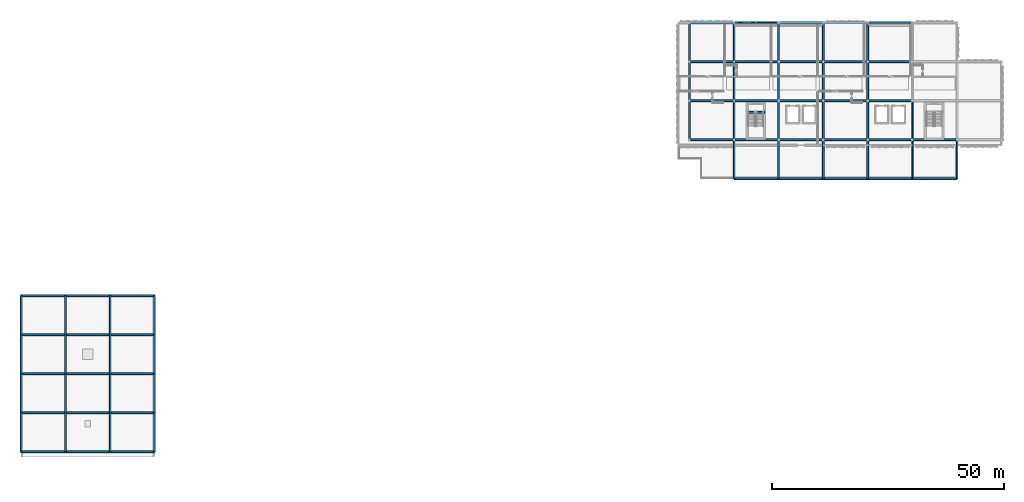
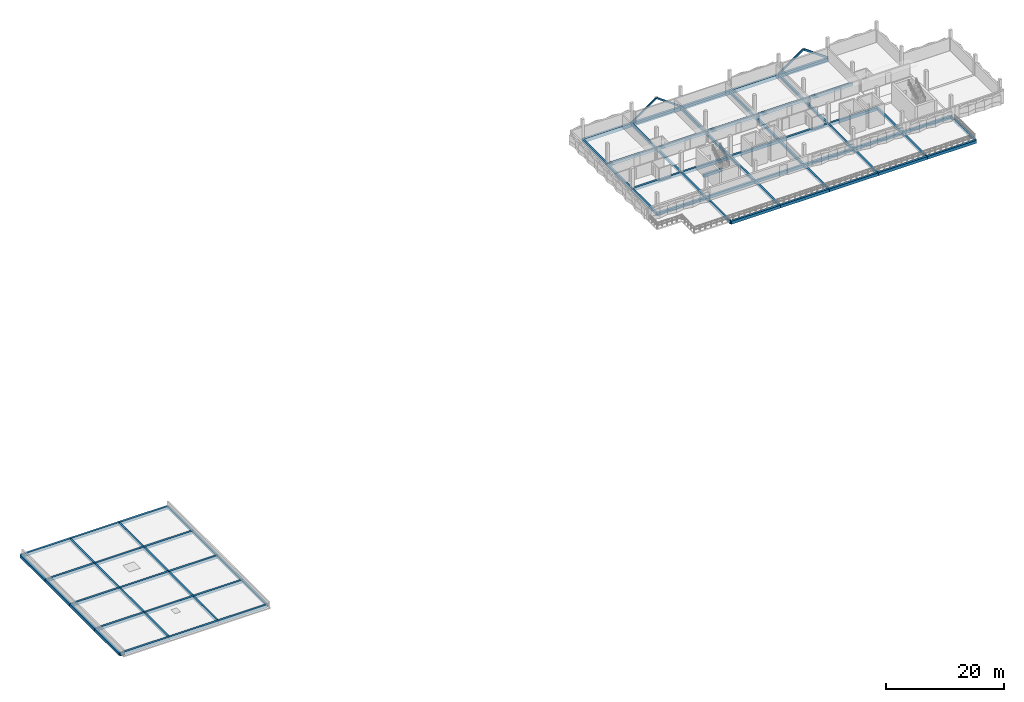
# One storey, part 2 of 13: 80 beams, 4 members.
"""IFC4 building model written with IfcOpenShell, lengths in metres."""

from ifc_helpers import new_model, si_unit, direction, frame, origin, origin_2d, place, context, subcontext, project, spatial, rectangle, hollow_rectangle, extrude, material, material_profile, profile_set, type_object, element, save


model = new_model("IFC4")

# Units and contexts
model_context = context("Model", 3, precision=1e-05, world=origin(), true_north=direction((0.0, 1.0)))
body_context = subcontext(model_context, "Body", "Model", "MODEL_VIEW")
ifc_project = project(units=[si_unit("LENGTHUNIT", "METRE"), si_unit("AREAUNIT", "SQUARE_METRE"), si_unit("VOLUMEUNIT", "CUBIC_METRE"), si_unit("PLANEANGLEUNIT", "RADIAN"), si_unit("MASSUNIT", "GRAM", prefix="KILO")], contexts=[model_context])

# Site, building, storey
site_placement = place(None, origin())
site = spatial("IfcSite", under=ifc_project, at=site_placement, CompositionType="ELEMENT")
building_placement = place(site_placement, origin())
building = spatial("IfcBuilding", under=site, at=building_placement, Name="Oolite Switchyard Hospital", CompositionType="ELEMENT")
storey_placement = place(building_placement, frame((0.0, 0.0, 30.39990234375)))
storey = spatial("IfcBuildingStorey", under=building, at=storey_placement, Name="L07", CompositionType="ELEMENT", Elevation=30.39990234375)

# Beams
ifc_material_1 = material(Name="Concrete C40/50", Category="concrete")
ifc_material_profile_1 = material_profile(ifc_material_1, rectangle(XDim=0.35009765625, YDim=0.550048828125, at=origin_2d()), Name="RCB350X550")
ifc_profile_set_1 = profile_set([ifc_material_profile_1], Name="Concrete C40/50")
beam_type_1 = type_object("IfcBeamType", Name="BM-RC350X550", PredefinedType="BEAM", material=ifc_profile_set_1)
beam_1_placement = place(storey_placement, frame((9.60009765625, 42.0, -0.27490234375), z_axis=(0.0, 1.0, 0.0), x_axis=(-1.0, 0.0, 0.0)))
element("IfcBeam", 1, at=beam_1_placement, inside=storey, type_object=beam_type_1, Name="L07 Y-Girder 3899", PredefinedType="BEAM", context=body_context, shape_type="SweptSolid", body=[
    extrude(rectangle(XDim=0.35009765625, YDim=0.550048828125, at=origin_2d()), origin(), (0.0, 0.0, 1.0), 8.39990234375),
])
beam_2_placement = place(storey_placement, frame((9.60009765625, 50.39990234375, -0.27490234375), z_axis=(0.0, 1.0, 0.0), x_axis=(-1.0, 0.0, 0.0)))
element("IfcBeam", 2, at=beam_2_placement, inside=storey, type_object=beam_type_1, Name="L07 Y-Girder 3900", PredefinedType="BEAM", context=body_context, shape_type="SweptSolid", body=[
    extrude(rectangle(XDim=0.35009765625, YDim=0.550048828125, at=origin_2d()), origin(), (0.0, 0.0, 1.0), 8.400146484375),
])
beam_3_placement = place(storey_placement, frame((9.60009765625, 58.800048828125, -0.27490234375), z_axis=(0.0, 1.0, 0.0), x_axis=(-1.0, 0.0, 0.0)))
element("IfcBeam", 3, at=beam_3_placement, inside=storey, type_object=beam_type_1, Name="L07 Y-Girder 3901", PredefinedType="BEAM", context=body_context, shape_type="SweptSolid", body=[
    extrude(rectangle(XDim=0.35009765625, YDim=0.550048828125, at=origin_2d()), origin(), (0.0, 0.0, 1.0), 8.39990234375),
])
beam_4_placement = place(storey_placement, frame((9.60009765625, 67.199951171875, -0.27490234375), z_axis=(0.0, 1.0, 0.0), x_axis=(-1.0, 0.0, 0.0)))
element("IfcBeam", 4, at=beam_4_placement, inside=storey, type_object=beam_type_1, Name="L07 Y-Girder 3902", PredefinedType="BEAM", context=body_context, shape_type="SweptSolid", body=[
    extrude(rectangle(XDim=0.35009765625, YDim=0.550048828125, at=origin_2d()), origin(), (0.0, 0.0, 1.0), 8.400146484375),
])
beam_5_placement = place(storey_placement, frame((19.199951171875, 42.0, -0.27490234375), z_axis=(0.0, 1.0, 0.0), x_axis=(-1.0, 0.0, 0.0)))
element("IfcBeam", 5, at=beam_5_placement, inside=storey, type_object=beam_type_1, Name="L07 Y-Girder 3903", PredefinedType="BEAM", context=body_context, shape_type="SweptSolid", body=[
    extrude(rectangle(XDim=0.35009765625, YDim=0.550048828125, at=origin_2d()), origin(), (0.0, 0.0, 1.0), 8.39990234375),
])
beam_6_placement = place(storey_placement, frame((19.199951171875, 50.39990234375, -0.27490234375), z_axis=(0.0, 1.0, 0.0), x_axis=(-1.0, 0.0, 0.0)))
element("IfcBeam", 6, at=beam_6_placement, inside=storey, type_object=beam_type_1, Name="L07 Y-Girder 3904", PredefinedType="BEAM", context=body_context, shape_type="SweptSolid", body=[
    extrude(rectangle(XDim=0.35009765625, YDim=0.550048828125, at=origin_2d()), origin(), (0.0, 0.0, 1.0), 8.400146484375),
])
beam_7_placement = place(storey_placement, frame((19.199951171875, 58.800048828125, -0.27490234375), z_axis=(0.0, 1.0, 0.0), x_axis=(-1.0, 0.0, 0.0)))
element("IfcBeam", 7, at=beam_7_placement, inside=storey, type_object=beam_type_1, Name="L07 Y-Girder 3905", PredefinedType="BEAM", context=body_context, shape_type="SweptSolid", body=[
    extrude(rectangle(XDim=0.35009765625, YDim=0.550048828125, at=origin_2d()), origin(), (0.0, 0.0, 1.0), 8.39990234375),
])
beam_8_placement = place(storey_placement, frame((19.199951171875, 67.199951171875, -0.27490234375), z_axis=(0.0, 1.0, 0.0), x_axis=(-1.0, 0.0, 0.0)))
element("IfcBeam", 8, at=beam_8_placement, inside=storey, type_object=beam_type_1, Name="L07 Y-Girder 3906", PredefinedType="BEAM", context=body_context, shape_type="SweptSolid", body=[
    extrude(rectangle(XDim=0.35009765625, YDim=0.550048828125, at=origin_2d()), origin(), (0.0, 0.0, 1.0), 8.400146484375),
])
beam_9_placement = place(storey_placement, frame((28.800048828125, 42.0, -0.27490234375), z_axis=(0.0, 1.0, 0.0), x_axis=(-1.0, 0.0, 0.0)))
element("IfcBeam", 9, at=beam_9_placement, inside=storey, type_object=beam_type_1, Name="L07 Y-Girder 3907", PredefinedType="BEAM", context=body_context, shape_type="SweptSolid", body=[
    extrude(rectangle(XDim=0.35009765625, YDim=0.550048828125, at=origin_2d()), origin(), (0.0, 0.0, 1.0), 8.39990234375),
])
beam_10_placement = place(storey_placement, frame((28.800048828125, 50.39990234375, -0.27490234375), z_axis=(0.0, 1.0, 0.0), x_axis=(-1.0, 0.0, 0.0)))
element("IfcBeam", 10, at=beam_10_placement, inside=storey, type_object=beam_type_1, Name="L07 Y-Girder 3908", PredefinedType="BEAM", context=body_context, shape_type="SweptSolid", body=[
    extrude(rectangle(XDim=0.35009765625, YDim=0.550048828125, at=origin_2d()), origin(), (0.0, 0.0, 1.0), 8.400146484375),
])
beam_11_placement = place(storey_placement, frame((28.800048828125, 58.800048828125, -0.27490234375), z_axis=(0.0, 1.0, 0.0), x_axis=(-1.0, 0.0, 0.0)))
element("IfcBeam", 11, at=beam_11_placement, inside=storey, type_object=beam_type_1, Name="L07 Y-Girder 3909", PredefinedType="BEAM", context=body_context, shape_type="SweptSolid", body=[
    extrude(rectangle(XDim=0.35009765625, YDim=0.550048828125, at=origin_2d()), origin(), (0.0, 0.0, 1.0), 8.39990234375),
])
for number, where, z_axis, x_axis, name in (
    (12, (28.800048828125, 67.199951171875, -0.27490234375), (0.0, 1.0, 0.0), (-1.0, 0.0, 0.0), "L07 Y-Girder 3910"),
    (13, (144.0, 109.199951171875, -0.27490234375), (0.0, 1.0, 0.0), (-1.0, 0.0, 0.0), "L07 Y-Girder 3911"),
):
    element("IfcBeam", number, at=place(storey_placement, frame(where, z_axis=z_axis, x_axis=x_axis)), inside=storey, type_object=beam_type_1, Name=name, PredefinedType="BEAM", context=body_context, shape_type="SweptSolid", body=[
        extrude(rectangle(XDim=0.35009765625, YDim=0.550048828125, at=origin_2d()), origin(), (0.0, 0.0, 1.0), 8.400146484375),
    ])
for number, where, z_axis, x_axis, name in (
    (14, (144.0, 117.60009765625, -0.27490234375), (0.0, 1.0, 0.0), (-1.0, 0.0, 0.0), "L07 Y-Girder 3912"),
    (15, (144.0, 126.0, -0.27490234375), (0.0, 1.0, 0.0), (-1.0, 0.0, 0.0), "L07 Y-Girder 3913"),
    (16, (153.60009765625, 100.800048828125, -0.27490234375), (0.0, 1.0, 0.0), (-1.0, 0.0, 0.0), "L07 Y-Girder 3914"),
):
    element("IfcBeam", number, at=place(storey_placement, frame(where, z_axis=z_axis, x_axis=x_axis)), inside=storey, type_object=beam_type_1, Name=name, PredefinedType="BEAM", context=body_context, shape_type="SweptSolid", body=[
        extrude(rectangle(XDim=0.35009765625, YDim=0.550048828125, at=origin_2d()), origin(), (0.0, 0.0, 1.0), 8.39990234375),
    ])
beam_12_placement = place(storey_placement, frame((153.60009765625, 109.199951171875, -0.27490234375), z_axis=(0.0, 1.0, 0.0), x_axis=(-1.0, 0.0, 0.0)))
element("IfcBeam", 17, at=beam_12_placement, inside=storey, type_object=beam_type_1, Name="L07 Y-Girder 3915", PredefinedType="BEAM", context=body_context, shape_type="SweptSolid", body=[
    extrude(rectangle(XDim=0.35009765625, YDim=0.550048828125, at=origin_2d()), origin(), (0.0, 0.0, 1.0), 8.400146484375),
])
for number, where, z_axis, x_axis, name in (
    (18, (153.60009765625, 117.60009765625, -0.27490234375), (0.0, 1.0, 0.0), (-1.0, 0.0, 0.0), "L07 Y-Girder 3916"),
    (19, (153.60009765625, 126.0, -0.27490234375), (0.0, 1.0, 0.0), (-1.0, 0.0, 0.0), "L07 Y-Girder 3917"),
    (20, (163.199951171875, 100.800048828125, -0.27490234375), (0.0, 1.0, 0.0), (-1.0, 0.0, 0.0), "L07 Y-Girder 3918"),
):
    element("IfcBeam", number, at=place(storey_placement, frame(where, z_axis=z_axis, x_axis=x_axis)), inside=storey, type_object=beam_type_1, Name=name, PredefinedType="BEAM", context=body_context, shape_type="SweptSolid", body=[
        extrude(rectangle(XDim=0.35009765625, YDim=0.550048828125, at=origin_2d()), origin(), (0.0, 0.0, 1.0), 8.39990234375),
    ])
beam_13_placement = place(storey_placement, frame((163.199951171875, 109.199951171875, -0.27490234375), z_axis=(0.0, 1.0, 0.0), x_axis=(-1.0, 0.0, 0.0)))
element("IfcBeam", 21, at=beam_13_placement, inside=storey, type_object=beam_type_1, Name="L07 Y-Girder 3919", PredefinedType="BEAM", context=body_context, shape_type="SweptSolid", body=[
    extrude(rectangle(XDim=0.35009765625, YDim=0.550048828125, at=origin_2d()), origin(), (0.0, 0.0, 1.0), 8.400146484375),
])
for number, where, z_axis, x_axis, name in (
    (22, (163.199951171875, 117.60009765625, -0.27490234375), (0.0, 1.0, 0.0), (-1.0, 0.0, 0.0), "L07 Y-Girder 3920"),
    (23, (163.199951171875, 126.0, -0.27490234375), (0.0, 1.0, 0.0), (-1.0, 0.0, 0.0), "L07 Y-Girder 3921"),
    (24, (172.800048828125, 100.800048828125, -0.27490234375), (0.0, 1.0, 0.0), (-1.0, 0.0, 0.0), "L07 Y-Girder 3922"),
):
    element("IfcBeam", number, at=place(storey_placement, frame(where, z_axis=z_axis, x_axis=x_axis)), inside=storey, type_object=beam_type_1, Name=name, PredefinedType="BEAM", context=body_context, shape_type="SweptSolid", body=[
        extrude(rectangle(XDim=0.35009765625, YDim=0.550048828125, at=origin_2d()), origin(), (0.0, 0.0, 1.0), 8.39990234375),
    ])
beam_14_placement = place(storey_placement, frame((172.800048828125, 109.199951171875, -0.27490234375), z_axis=(0.0, 1.0, 0.0), x_axis=(-1.0, 0.0, 0.0)))
element("IfcBeam", 25, at=beam_14_placement, inside=storey, type_object=beam_type_1, Name="L07 Y-Girder 3923", PredefinedType="BEAM", context=body_context, shape_type="SweptSolid", body=[
    extrude(rectangle(XDim=0.35009765625, YDim=0.550048828125, at=origin_2d()), origin(), (0.0, 0.0, 1.0), 8.400146484375),
])
for number, where, z_axis, x_axis, name in (
    (26, (172.800048828125, 117.60009765625, -0.27490234375), (0.0, 1.0, 0.0), (-1.0, 0.0, 0.0), "L07 Y-Girder 3924"),
    (27, (172.800048828125, 126.0, -0.27490234375), (0.0, 1.0, 0.0), (-1.0, 0.0, 0.0), "L07 Y-Girder 3925"),
    (28, (182.39990234375, 100.800048828125, -0.27490234375), (0.0, 1.0, 0.0), (-1.0, 0.0, 0.0), "L07 Y-Girder 3926"),
):
    element("IfcBeam", number, at=place(storey_placement, frame(where, z_axis=z_axis, x_axis=x_axis)), inside=storey, type_object=beam_type_1, Name=name, PredefinedType="BEAM", context=body_context, shape_type="SweptSolid", body=[
        extrude(rectangle(XDim=0.35009765625, YDim=0.550048828125, at=origin_2d()), origin(), (0.0, 0.0, 1.0), 8.39990234375),
    ])
beam_15_placement = place(storey_placement, frame((182.39990234375, 109.199951171875, -0.27490234375), z_axis=(0.0, 1.0, 0.0), x_axis=(-1.0, 0.0, 0.0)))
element("IfcBeam", 29, at=beam_15_placement, inside=storey, type_object=beam_type_1, Name="L07 Y-Girder 3927", PredefinedType="BEAM", context=body_context, shape_type="SweptSolid", body=[
    extrude(rectangle(XDim=0.35009765625, YDim=0.550048828125, at=origin_2d()), origin(), (0.0, 0.0, 1.0), 8.400146484375),
])
for number, where, z_axis, x_axis, name in (
    (30, (182.39990234375, 117.60009765625, -0.27490234375), (0.0, 1.0, 0.0), (-1.0, 0.0, 0.0), "L07 Y-Girder 3928"),
    (31, (182.39990234375, 126.0, -0.27490234375), (0.0, 1.0, 0.0), (-1.0, 0.0, 0.0), "L07 Y-Girder 3929"),
    (32, (192.0, 100.800048828125, -0.27490234375), (0.0, 1.0, 0.0), (-1.0, 0.0, 0.0), "L07 Y-Girder 3930"),
):
    element("IfcBeam", number, at=place(storey_placement, frame(where, z_axis=z_axis, x_axis=x_axis)), inside=storey, type_object=beam_type_1, Name=name, PredefinedType="BEAM", context=body_context, shape_type="SweptSolid", body=[
        extrude(rectangle(XDim=0.35009765625, YDim=0.550048828125, at=origin_2d()), origin(), (0.0, 0.0, 1.0), 8.39990234375),
    ])
beam_16_placement = place(storey_placement, frame((192.0, 109.199951171875, -0.27490234375), z_axis=(0.0, 1.0, 0.0), x_axis=(-1.0, 0.0, 0.0)))
element("IfcBeam", 33, at=beam_16_placement, inside=storey, type_object=beam_type_1, Name="L07 Y-Girder 3931", PredefinedType="BEAM", context=body_context, shape_type="SweptSolid", body=[
    extrude(rectangle(XDim=0.35009765625, YDim=0.550048828125, at=origin_2d()), origin(), (0.0, 0.0, 1.0), 8.400146484375),
])
beam_17_placement = place(storey_placement, frame((201.60009765625, 100.800048828125, -0.27490234375), z_axis=(0.0, 1.0, 0.0), x_axis=(-1.0, 0.0, 0.0)))
element("IfcBeam", 34, at=beam_17_placement, inside=storey, type_object=beam_type_1, Name="L07 Y-Girder 3934", PredefinedType="BEAM", context=body_context, shape_type="SweptSolid", body=[
    extrude(rectangle(XDim=0.35009765625, YDim=0.550048828125, at=origin_2d()), origin(), (0.0, 0.0, 1.0), 8.39990234375),
])
ifc_material_profile_2 = material_profile(ifc_material_1, rectangle(XDim=0.39990234375, YDim=0.60009765625, at=origin_2d()), Name="RCB400X600")
ifc_profile_set_2 = profile_set([ifc_material_profile_2], Name="Concrete C40/50")
beam_type_2 = type_object("IfcBeamType", Name="BM-RC400X600", PredefinedType="BEAM", material=ifc_profile_set_2)
beam_18_placement = place(storey_placement, frame((0.0, 42.0, -0.2998046875), z_axis=(1.0, 0.0, 0.0), x_axis=(0.0, 1.0, 0.0)))
element("IfcBeam", 35, at=beam_18_placement, inside=storey, type_object=beam_type_2, Name="L07 X-Girder 3848", PredefinedType="BEAM", context=body_context, shape_type="SweptSolid", body=[
    extrude(rectangle(XDim=0.39990234375, YDim=0.60009765625, at=origin_2d()), origin(), (0.0, 0.0, 1.0), 9.60009765625),
])
beam_19_placement = place(storey_placement, frame((9.60009765625, 42.0, -0.2998046875), z_axis=(1.0, 0.0, 0.0), x_axis=(0.0, 1.0, 0.0)))
element("IfcBeam", 36, at=beam_19_placement, inside=storey, type_object=beam_type_2, Name="L07 X-Girder 3849", PredefinedType="BEAM", context=body_context, shape_type="SweptSolid", body=[
    extrude(rectangle(XDim=0.39990234375, YDim=0.60009765625, at=origin_2d()), origin(), (0.0, 0.0, 1.0), 9.599853515625),
])
for number, where, z_axis, x_axis, name in (
    (37, (19.199951171875, 42.0, -0.2998046875), (1.0, 0.0, 0.0), (0.0, 1.0, 0.0), "L07 X-Girder 3850"),
    (38, (0.0, 50.39990234375, -0.2998046875), (1.0, 0.0, 0.0), (0.0, 1.0, 0.0), "L07 X-Girder 3851"),
):
    element("IfcBeam", number, at=place(storey_placement, frame(where, z_axis=z_axis, x_axis=x_axis)), inside=storey, type_object=beam_type_2, Name=name, PredefinedType="BEAM", context=body_context, shape_type="SweptSolid", body=[
        extrude(rectangle(XDim=0.39990234375, YDim=0.60009765625, at=origin_2d()), origin(), (0.0, 0.0, 1.0), 9.60009765625),
    ])
beam_20_placement = place(storey_placement, frame((9.60009765625, 50.39990234375, -0.2998046875), z_axis=(1.0, 0.0, 0.0), x_axis=(0.0, 1.0, 0.0)))
element("IfcBeam", 39, at=beam_20_placement, inside=storey, type_object=beam_type_2, Name="L07 X-Girder 3852", PredefinedType="BEAM", context=body_context, shape_type="SweptSolid", body=[
    extrude(rectangle(XDim=0.39990234375, YDim=0.60009765625, at=origin_2d()), origin(), (0.0, 0.0, 1.0), 9.599853515625),
])
for number, where, z_axis, x_axis, name in (
    (40, (19.199951171875, 50.39990234375, -0.2998046875), (1.0, 0.0, 0.0), (0.0, 1.0, 0.0), "L07 X-Girder 3853"),
    (41, (0.0, 58.800048828125, -0.2998046875), (1.0, 0.0, 0.0), (0.0, 1.0, 0.0), "L07 X-Girder 3854"),
):
    element("IfcBeam", number, at=place(storey_placement, frame(where, z_axis=z_axis, x_axis=x_axis)), inside=storey, type_object=beam_type_2, Name=name, PredefinedType="BEAM", context=body_context, shape_type="SweptSolid", body=[
        extrude(rectangle(XDim=0.39990234375, YDim=0.60009765625, at=origin_2d()), origin(), (0.0, 0.0, 1.0), 9.60009765625),
    ])
beam_21_placement = place(storey_placement, frame((9.60009765625, 58.800048828125, -0.2998046875), z_axis=(1.0, 0.0, 0.0), x_axis=(0.0, 1.0, 0.0)))
element("IfcBeam", 42, at=beam_21_placement, inside=storey, type_object=beam_type_2, Name="L07 X-Girder 3855", PredefinedType="BEAM", context=body_context, shape_type="SweptSolid", body=[
    extrude(rectangle(XDim=0.39990234375, YDim=0.60009765625, at=origin_2d()), origin(), (0.0, 0.0, 1.0), 9.599853515625),
])
for number, where, z_axis, x_axis, name in (
    (43, (19.199951171875, 58.800048828125, -0.2998046875), (1.0, 0.0, 0.0), (0.0, 1.0, 0.0), "L07 X-Girder 3856"),
    (44, (0.0, 67.199951171875, -0.2998046875), (1.0, 0.0, 0.0), (0.0, 1.0, 0.0), "L07 X-Girder 3857"),
):
    element("IfcBeam", number, at=place(storey_placement, frame(where, z_axis=z_axis, x_axis=x_axis)), inside=storey, type_object=beam_type_2, Name=name, PredefinedType="BEAM", context=body_context, shape_type="SweptSolid", body=[
        extrude(rectangle(XDim=0.39990234375, YDim=0.60009765625, at=origin_2d()), origin(), (0.0, 0.0, 1.0), 9.60009765625),
    ])
beam_22_placement = place(storey_placement, frame((9.60009765625, 67.199951171875, -0.2998046875), z_axis=(1.0, 0.0, 0.0), x_axis=(0.0, 1.0, 0.0)))
element("IfcBeam", 45, at=beam_22_placement, inside=storey, type_object=beam_type_2, Name="L07 X-Girder 3858", PredefinedType="BEAM", context=body_context, shape_type="SweptSolid", body=[
    extrude(rectangle(XDim=0.39990234375, YDim=0.60009765625, at=origin_2d()), origin(), (0.0, 0.0, 1.0), 9.599853515625),
])
for number, where, z_axis, x_axis, name in (
    (46, (19.199951171875, 67.199951171875, -0.2998046875), (1.0, 0.0, 0.0), (0.0, 1.0, 0.0), "L07 X-Girder 3859"),
    (47, (0.0, 75.60009765625, -0.2998046875), (1.0, 0.0, 0.0), (0.0, 1.0, 0.0), "L07 X-Girder 3860"),
):
    element("IfcBeam", number, at=place(storey_placement, frame(where, z_axis=z_axis, x_axis=x_axis)), inside=storey, type_object=beam_type_2, Name=name, PredefinedType="BEAM", context=body_context, shape_type="SweptSolid", body=[
        extrude(rectangle(XDim=0.39990234375, YDim=0.60009765625, at=origin_2d()), origin(), (0.0, 0.0, 1.0), 9.60009765625),
    ])
beam_23_placement = place(storey_placement, frame((9.60009765625, 75.60009765625, -0.2998046875), z_axis=(1.0, 0.0, 0.0), x_axis=(0.0, 1.0, 0.0)))
element("IfcBeam", 48, at=beam_23_placement, inside=storey, type_object=beam_type_2, Name="L07 X-Girder 3861", PredefinedType="BEAM", context=body_context, shape_type="SweptSolid", body=[
    extrude(rectangle(XDim=0.39990234375, YDim=0.60009765625, at=origin_2d()), origin(), (0.0, 0.0, 1.0), 9.599853515625),
])
beam_24_placement = place(storey_placement, frame((19.199951171875, 75.60009765625, -0.2998046875), z_axis=(1.0, 0.0, 0.0), x_axis=(0.0, 1.0, 0.0)))
element("IfcBeam", 49, at=beam_24_placement, inside=storey, type_object=beam_type_2, Name="L07 X-Girder 3862", PredefinedType="BEAM", context=body_context, shape_type="SweptSolid", body=[
    extrude(rectangle(XDim=0.39990234375, YDim=0.60009765625, at=origin_2d()), origin(), (0.0, 0.0, 1.0), 9.60009765625),
])
beam_25_placement = place(storey_placement, frame((153.60009765625, 100.800048828125, -0.2998046875), z_axis=(1.0, 0.0, 0.0), x_axis=(0.0, 1.0, 0.0)))
element("IfcBeam", 50, at=beam_25_placement, inside=storey, type_object=beam_type_2, Name="L07 X-Girder 3863", PredefinedType="BEAM", context=body_context, shape_type="SweptSolid", body=[
    extrude(rectangle(XDim=0.39990234375, YDim=0.60009765625, at=origin_2d()), origin(), (0.0, 0.0, 1.0), 9.599853515625),
])
beam_26_placement = place(storey_placement, frame((163.199951171875, 100.800048828125, -0.2998046875), z_axis=(1.0, 0.0, 0.0), x_axis=(0.0, 1.0, 0.0)))
element("IfcBeam", 51, at=beam_26_placement, inside=storey, type_object=beam_type_2, Name="L07 X-Girder 3864", PredefinedType="BEAM", context=body_context, shape_type="SweptSolid", body=[
    extrude(rectangle(XDim=0.39990234375, YDim=0.60009765625, at=origin_2d()), origin(), (0.0, 0.0, 1.0), 9.60009765625),
])
beam_27_placement = place(storey_placement, frame((172.800048828125, 100.800048828125, -0.2998046875), z_axis=(1.0, 0.0, 0.0), x_axis=(0.0, 1.0, 0.0)))
element("IfcBeam", 52, at=beam_27_placement, inside=storey, type_object=beam_type_2, Name="L07 X-Girder 3865", PredefinedType="BEAM", context=body_context, shape_type="SweptSolid", body=[
    extrude(rectangle(XDim=0.39990234375, YDim=0.60009765625, at=origin_2d()), origin(), (0.0, 0.0, 1.0), 9.599853515625),
])
for number, where, z_axis, x_axis, name in (
    (53, (182.39990234375, 100.800048828125, -0.2998046875), (1.0, 0.0, 0.0), (0.0, 1.0, 0.0), "L07 X-Girder 3866"),
    (54, (192.0, 100.800048828125, -0.2998046875), (1.0, 0.0, 0.0), (0.0, 1.0, 0.0), "L07 X-Girder 3867"),
    (55, (144.0, 109.199951171875, -0.2998046875), (1.0, 0.0, 0.0), (0.0, 1.0, 0.0), "L07 X-Girder 3868"),
):
    element("IfcBeam", number, at=place(storey_placement, frame(where, z_axis=z_axis, x_axis=x_axis)), inside=storey, type_object=beam_type_2, Name=name, PredefinedType="BEAM", context=body_context, shape_type="SweptSolid", body=[
        extrude(rectangle(XDim=0.39990234375, YDim=0.60009765625, at=origin_2d()), origin(), (0.0, 0.0, 1.0), 9.60009765625),
    ])
beam_28_placement = place(storey_placement, frame((153.60009765625, 109.199951171875, -0.2998046875), z_axis=(1.0, 0.0, 0.0), x_axis=(0.0, 1.0, 0.0)))
element("IfcBeam", 56, at=beam_28_placement, inside=storey, type_object=beam_type_2, Name="L07 X-Girder 3869", PredefinedType="BEAM", context=body_context, shape_type="SweptSolid", body=[
    extrude(rectangle(XDim=0.39990234375, YDim=0.60009765625, at=origin_2d()), origin(), (0.0, 0.0, 1.0), 9.599853515625),
])
beam_29_placement = place(storey_placement, frame((163.199951171875, 109.199951171875, -0.2998046875), z_axis=(1.0, 0.0, 0.0), x_axis=(0.0, 1.0, 0.0)))
element("IfcBeam", 57, at=beam_29_placement, inside=storey, type_object=beam_type_2, Name="L07 X-Girder 3870", PredefinedType="BEAM", context=body_context, shape_type="SweptSolid", body=[
    extrude(rectangle(XDim=0.39990234375, YDim=0.60009765625, at=origin_2d()), origin(), (0.0, 0.0, 1.0), 9.60009765625),
])
beam_30_placement = place(storey_placement, frame((172.800048828125, 109.199951171875, -0.2998046875), z_axis=(1.0, 0.0, 0.0), x_axis=(0.0, 1.0, 0.0)))
element("IfcBeam", 58, at=beam_30_placement, inside=storey, type_object=beam_type_2, Name="L07 X-Girder 3871", PredefinedType="BEAM", context=body_context, shape_type="SweptSolid", body=[
    extrude(rectangle(XDim=0.39990234375, YDim=0.60009765625, at=origin_2d()), origin(), (0.0, 0.0, 1.0), 9.599853515625),
])
for number, where, z_axis, x_axis, name in (
    (59, (182.39990234375, 109.199951171875, -0.2998046875), (1.0, 0.0, 0.0), (0.0, 1.0, 0.0), "L07 X-Girder 3872"),
    (60, (192.0, 109.199951171875, -0.2998046875), (1.0, 0.0, 0.0), (0.0, 1.0, 0.0), "L07 X-Girder 3873"),
    (61, (144.0, 117.60009765625, -0.2998046875), (1.0, 0.0, 0.0), (0.0, 1.0, 0.0), "L07 X-Girder 3875"),
):
    element("IfcBeam", number, at=place(storey_placement, frame(where, z_axis=z_axis, x_axis=x_axis)), inside=storey, type_object=beam_type_2, Name=name, PredefinedType="BEAM", context=body_context, shape_type="SweptSolid", body=[
        extrude(rectangle(XDim=0.39990234375, YDim=0.60009765625, at=origin_2d()), origin(), (0.0, 0.0, 1.0), 9.60009765625),
    ])
beam_31_placement = place(storey_placement, frame((153.60009765625, 117.60009765625, -0.2998046875), z_axis=(1.0, 0.0, 0.0), x_axis=(0.0, 1.0, 0.0)))
element("IfcBeam", 62, at=beam_31_placement, inside=storey, type_object=beam_type_2, Name="L07 X-Girder 3876", PredefinedType="BEAM", context=body_context, shape_type="SweptSolid", body=[
    extrude(rectangle(XDim=0.39990234375, YDim=0.60009765625, at=origin_2d()), origin(), (0.0, 0.0, 1.0), 9.599853515625),
])
beam_32_placement = place(storey_placement, frame((163.199951171875, 117.60009765625, -0.2998046875), z_axis=(1.0, 0.0, 0.0), x_axis=(0.0, 1.0, 0.0)))
element("IfcBeam", 63, at=beam_32_placement, inside=storey, type_object=beam_type_2, Name="L07 X-Girder 3877", PredefinedType="BEAM", context=body_context, shape_type="SweptSolid", body=[
    extrude(rectangle(XDim=0.39990234375, YDim=0.60009765625, at=origin_2d()), origin(), (0.0, 0.0, 1.0), 9.60009765625),
])
beam_33_placement = place(storey_placement, frame((172.800048828125, 117.60009765625, -0.2998046875), z_axis=(1.0, 0.0, 0.0), x_axis=(0.0, 1.0, 0.0)))
element("IfcBeam", 64, at=beam_33_placement, inside=storey, type_object=beam_type_2, Name="L07 X-Girder 3878", PredefinedType="BEAM", context=body_context, shape_type="SweptSolid", body=[
    extrude(rectangle(XDim=0.39990234375, YDim=0.60009765625, at=origin_2d()), origin(), (0.0, 0.0, 1.0), 9.599853515625),
])
for number, where, z_axis, x_axis, name in (
    (65, (182.39990234375, 117.60009765625, -0.2998046875), (1.0, 0.0, 0.0), (0.0, 1.0, 0.0), "L07 X-Girder 3879"),
    (66, (144.0, 126.0, -0.2998046875), (1.0, 0.0, 0.0), (0.0, 1.0, 0.0), "L07 X-Girder 3882"),
):
    element("IfcBeam", number, at=place(storey_placement, frame(where, z_axis=z_axis, x_axis=x_axis)), inside=storey, type_object=beam_type_2, Name=name, PredefinedType="BEAM", context=body_context, shape_type="SweptSolid", body=[
        extrude(rectangle(XDim=0.39990234375, YDim=0.60009765625, at=origin_2d()), origin(), (0.0, 0.0, 1.0), 9.60009765625),
    ])
beam_34_placement = place(storey_placement, frame((153.60009765625, 126.0, -0.2998046875), z_axis=(1.0, 0.0, 0.0), x_axis=(0.0, 1.0, 0.0)))
element("IfcBeam", 67, at=beam_34_placement, inside=storey, type_object=beam_type_2, Name="L07 X-Girder 3883", PredefinedType="BEAM", context=body_context, shape_type="SweptSolid", body=[
    extrude(rectangle(XDim=0.39990234375, YDim=0.60009765625, at=origin_2d()), origin(), (0.0, 0.0, 1.0), 9.599853515625),
])
beam_35_placement = place(storey_placement, frame((163.199951171875, 126.0, -0.2998046875), z_axis=(1.0, 0.0, 0.0), x_axis=(0.0, 1.0, 0.0)))
element("IfcBeam", 68, at=beam_35_placement, inside=storey, type_object=beam_type_2, Name="L07 X-Girder 3884", PredefinedType="BEAM", context=body_context, shape_type="SweptSolid", body=[
    extrude(rectangle(XDim=0.39990234375, YDim=0.60009765625, at=origin_2d()), origin(), (0.0, 0.0, 1.0), 9.60009765625),
])
beam_36_placement = place(storey_placement, frame((172.800048828125, 126.0, -0.2998046875), z_axis=(1.0, 0.0, 0.0), x_axis=(0.0, 1.0, 0.0)))
element("IfcBeam", 69, at=beam_36_placement, inside=storey, type_object=beam_type_2, Name="L07 X-Girder 3885", PredefinedType="BEAM", context=body_context, shape_type="SweptSolid", body=[
    extrude(rectangle(XDim=0.39990234375, YDim=0.60009765625, at=origin_2d()), origin(), (0.0, 0.0, 1.0), 9.599853515625),
])
beam_37_placement = place(storey_placement, frame((182.39990234375, 126.0, -0.2998046875), z_axis=(1.0, 0.0, 0.0), x_axis=(0.0, 1.0, 0.0)))
element("IfcBeam", 70, at=beam_37_placement, inside=storey, type_object=beam_type_2, Name="L07 X-Girder 3886", PredefinedType="BEAM", context=body_context, shape_type="SweptSolid", body=[
    extrude(rectangle(XDim=0.39990234375, YDim=0.60009765625, at=origin_2d()), origin(), (0.0, 0.0, 1.0), 9.60009765625),
])
beam_38_placement = place(storey_placement, frame((0.0, 42.0, -0.2998046875), z_axis=(0.0, 1.0, 0.0), x_axis=(-1.0, 0.0, 0.0)))
element("IfcBeam", 71, at=beam_38_placement, inside=storey, type_object=beam_type_2, Name="L07 Y-Girder 3895", PredefinedType="BEAM", context=body_context, shape_type="SweptSolid", body=[
    extrude(rectangle(XDim=0.39990234375, YDim=0.60009765625, at=origin_2d()), origin(), (0.0, 0.0, 1.0), 8.39990234375),
])
beam_39_placement = place(storey_placement, frame((0.0, 50.39990234375, -0.2998046875), z_axis=(0.0, 1.0, 0.0), x_axis=(-1.0, 0.0, 0.0)))
element("IfcBeam", 72, at=beam_39_placement, inside=storey, type_object=beam_type_2, Name="L07 Y-Girder 3896", PredefinedType="BEAM", context=body_context, shape_type="SweptSolid", body=[
    extrude(rectangle(XDim=0.39990234375, YDim=0.60009765625, at=origin_2d()), origin(), (0.0, 0.0, 1.0), 8.400146484375),
])
beam_40_placement = place(storey_placement, frame((0.0, 58.800048828125, -0.2998046875), z_axis=(0.0, 1.0, 0.0), x_axis=(-1.0, 0.0, 0.0)))
element("IfcBeam", 73, at=beam_40_placement, inside=storey, type_object=beam_type_2, Name="L07 Y-Girder 3897", PredefinedType="BEAM", context=body_context, shape_type="SweptSolid", body=[
    extrude(rectangle(XDim=0.39990234375, YDim=0.60009765625, at=origin_2d()), origin(), (0.0, 0.0, 1.0), 8.39990234375),
])
beam_41_placement = place(storey_placement, frame((0.0, 67.199951171875, -0.2998046875), z_axis=(0.0, 1.0, 0.0), x_axis=(-1.0, 0.0, 0.0)))
element("IfcBeam", 74, at=beam_41_placement, inside=storey, type_object=beam_type_2, Name="L07 Y-Girder 3898", PredefinedType="BEAM", context=body_context, shape_type="SweptSolid", body=[
    extrude(rectangle(XDim=0.39990234375, YDim=0.60009765625, at=origin_2d()), origin(), (0.0, 0.0, 1.0), 8.400146484375),
])
beam_42_placement = place(storey_placement, frame((156.39990234375, 115.110107421875, -0.2998046875), z_axis=(1.0, 0.0, 0.0), x_axis=(0.0, 1.0, 0.0)))
element("IfcBeam", 75, at=beam_42_placement, inside=storey, type_object=beam_type_2, Name="L07 ST-03 Stair Throat Trimmer Beam", PredefinedType="BEAM", context=body_context, shape_type="SweptSolid", body=[
    extrude(rectangle(XDim=0.39990234375, YDim=0.60009765625, at=origin_2d()), origin(), (0.0, 0.0, 1.0), 3.760009765625),
])
ifc_material_profile_3 = material_profile(ifc_material_1, rectangle(XDim=0.449951171875, YDim=0.75, at=origin_2d()), Name="RCB450X750")
ifc_profile_set_3 = profile_set([ifc_material_profile_3], Name="Concrete C40/50")
beam_type_3 = type_object("IfcBeamType", Name="BM-RC450X750", PredefinedType="BEAM", material=ifc_profile_set_3)
beam_43_placement = place(storey_placement, frame((144.0, 134.39990234375, -0.375), z_axis=(1.0, 0.0, 0.0), x_axis=(0.0, 1.0, 0.0)))
element("IfcBeam", 76, at=beam_43_placement, inside=storey, type_object=beam_type_3, Name="L07 X-Girder 3889", PredefinedType="BEAM", context=body_context, shape_type="SweptSolid", body=[
    extrude(rectangle(XDim=0.449951171875, YDim=0.75, at=origin_2d()), origin(), (0.0, 0.0, 1.0), 9.60009765625),
])
beam_44_placement = place(storey_placement, frame((153.60009765625, 134.39990234375, -0.375), z_axis=(1.0, 0.0, 0.0), x_axis=(0.0, 1.0, 0.0)))
element("IfcBeam", 77, at=beam_44_placement, inside=storey, type_object=beam_type_3, Name="L07 X-Girder 3890", PredefinedType="BEAM", context=body_context, shape_type="SweptSolid", body=[
    extrude(rectangle(XDim=0.449951171875, YDim=0.75, at=origin_2d()), origin(), (0.0, 0.0, 1.0), 9.599853515625),
])
beam_45_placement = place(storey_placement, frame((163.199951171875, 134.39990234375, -0.375), z_axis=(1.0, 0.0, 0.0), x_axis=(0.0, 1.0, 0.0)))
element("IfcBeam", 78, at=beam_45_placement, inside=storey, type_object=beam_type_3, Name="L07 X-Girder 3891", PredefinedType="BEAM", context=body_context, shape_type="SweptSolid", body=[
    extrude(rectangle(XDim=0.449951171875, YDim=0.75, at=origin_2d()), origin(), (0.0, 0.0, 1.0), 9.60009765625),
])
beam_46_placement = place(storey_placement, frame((172.800048828125, 134.39990234375, -0.375), z_axis=(1.0, 0.0, 0.0), x_axis=(0.0, 1.0, 0.0)))
element("IfcBeam", 79, at=beam_46_placement, inside=storey, type_object=beam_type_3, Name="L07 X-Girder 3892", PredefinedType="BEAM", context=body_context, shape_type="SweptSolid", body=[
    extrude(rectangle(XDim=0.449951171875, YDim=0.75, at=origin_2d()), origin(), (0.0, 0.0, 1.0), 9.599853515625),
])
beam_47_placement = place(storey_placement, frame((182.39990234375, 134.39990234375, -0.375), z_axis=(1.0, 0.0, 0.0), x_axis=(0.0, 1.0, 0.0)))
element("IfcBeam", 80, at=beam_47_placement, inside=storey, type_object=beam_type_3, Name="L07 X-Girder 3893", PredefinedType="BEAM", context=body_context, shape_type="SweptSolid", body=[
    extrude(rectangle(XDim=0.449951171875, YDim=0.75, at=origin_2d()), origin(), (0.0, 0.0, 1.0), 9.60009765625),
])

# Members
ifc_material_2 = material(Name="Steel ASTM A500 Grade C", Category="steel")
ifc_material_profile_4 = material_profile(ifc_material_2, hollow_rectangle(XDim=0.202880859375, YDim=0.304931640625, WallThickness=0.012939453125, at=origin_2d()), Name="HSS305X203X13")
ifc_profile_set_4 = profile_set([ifc_material_profile_4], Name="Steel ASTM A500 Grade C")
member_type_1 = type_object("IfcMemberType", Name="MEM-BR-RHS305", PredefinedType="BRACE", material=ifc_profile_set_4)
member_1_placement = place(storey_placement, frame((153.60009765625, 134.39990234375, 0.02001953125), z_axis=(0.813593639571, 0.0, 0.581433908239), x_axis=(0.0, 1.0, 0.0)))
element("IfcMember", 81, at=member_1_placement, inside=storey, type_object=member_type_1, Name="L07 Chevron Brace 43", PredefinedType="BRACE", context=body_context, shape_type="SweptSolid", body=[
    extrude(hollow_rectangle(XDim=0.202880859375, YDim=0.304931640625, WallThickness=0.012939453125, at=origin_2d()), origin(), (0.0, 0.0, 1.0), 5.8994140625),
])
member_2_placement = place(storey_placement, frame((163.199951171875, 134.39990234375, 0.02001953125), z_axis=(-0.813607629091, 0.0, 0.58141433237), x_axis=(0.0, -1.0, 0.0)))
element("IfcMember", 82, at=member_2_placement, inside=storey, type_object=member_type_1, Name="L07 Chevron Brace 44", PredefinedType="BRACE", context=body_context, shape_type="SweptSolid", body=[
    extrude(hollow_rectangle(XDim=0.202880859375, YDim=0.304931640625, WallThickness=0.012939453125, at=origin_2d()), origin(), (0.0, 0.0, 1.0), 5.899658203125),
])
ifc_material_profile_5 = material_profile(ifc_material_2, hollow_rectangle(XDim=0.25390625, YDim=0.35595703125, WallThickness=0.012939453125, at=origin_2d()), Name="HSS356X254X13")
ifc_profile_set_5 = profile_set([ifc_material_profile_5], Name="Steel ASTM A500 Grade C")
member_type_2 = type_object("IfcMemberType", Name="MEM-BR-RHS356", PredefinedType="BRACE", material=ifc_profile_set_5)
for number, where, z_axis, x_axis, name in (
    (83, (182.39990234375, 134.39990234375, 0.02001953125), (0.813607629091, 0.0, 0.58141433237), (0.0, 1.0, 0.0), "L07 Chevron Brace 59"),
    (84, (192.0, 134.39990234375, 0.02001953125), (-0.813607629091, 0.0, 0.58141433237), (0.0, -1.0, 0.0), "L07 Chevron Brace 60"),
):
    element("IfcMember", number, at=place(storey_placement, frame(where, z_axis=z_axis, x_axis=x_axis)), inside=storey, type_object=member_type_2, Name=name, PredefinedType="BRACE", context=body_context, shape_type="SweptSolid", body=[
        extrude(hollow_rectangle(XDim=0.25390625, YDim=0.35595703125, WallThickness=0.012939453125, at=origin_2d()), origin(), (0.0, 0.0, 1.0), 5.899658203125),
    ])

save(model, "model.ifc")
